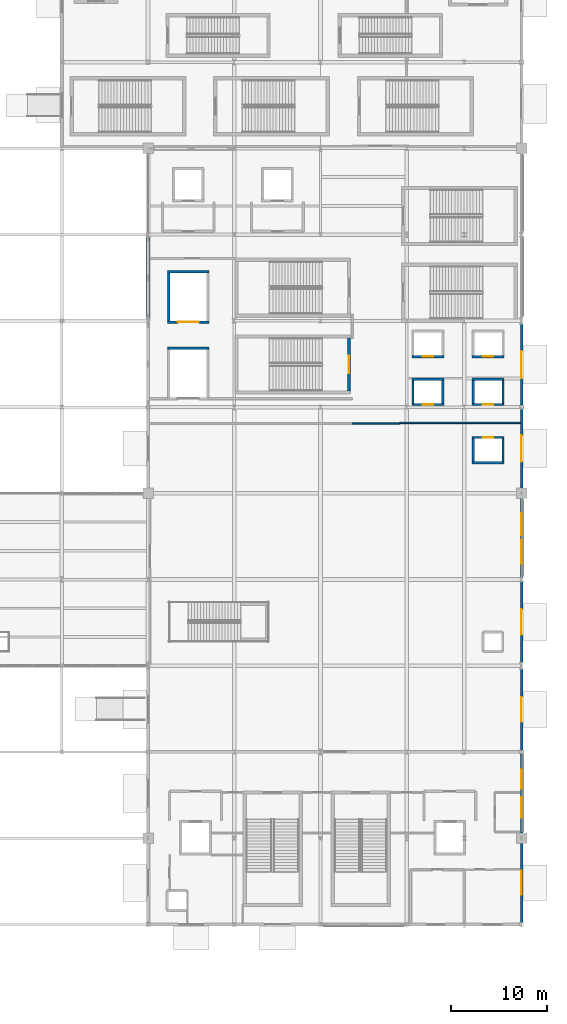
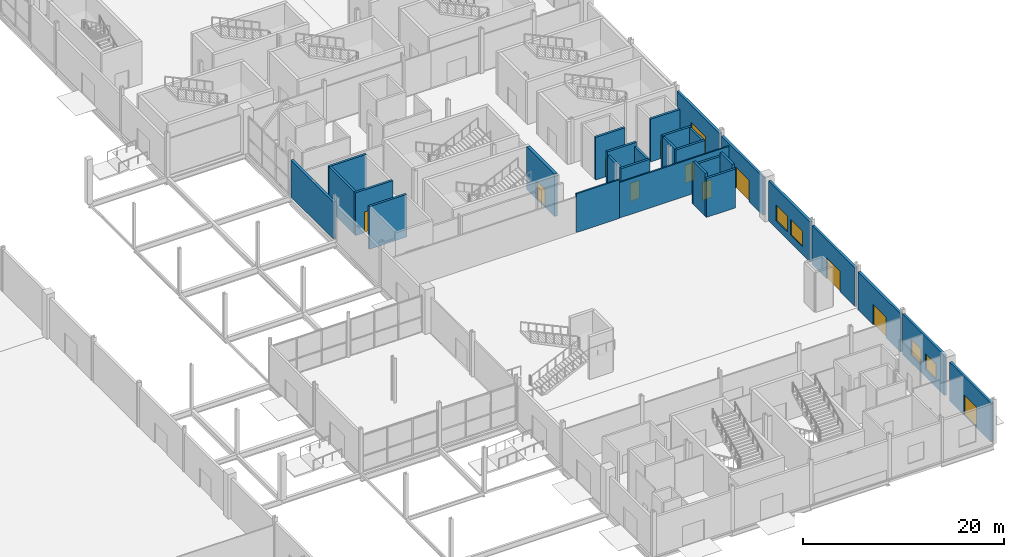
# One storey, part 60 of 94: 29 walls, 12 doors, 4 windows, 16 openings.
"""IFC4 building model written with IfcOpenShell, lengths in metres."""

from ifc_helpers import new_model, si_unit, direction, frame, frame_2d, origin, place, context, subcontext, project, spatial, rectangle, extrude, material, layer, layer_set, type_object, element, fill, save


model = new_model("IFC4")

# Units and contexts
model_context = context("Model", 3, precision=1e-05, world=origin(), true_north=direction((0.0, 1.0)))
body_context = subcontext(model_context, "Body", "Model", "MODEL_VIEW")
ifc_project = project(units=[si_unit("LENGTHUNIT", "METRE"), si_unit("AREAUNIT", "SQUARE_METRE"), si_unit("VOLUMEUNIT", "CUBIC_METRE"), si_unit("PLANEANGLEUNIT", "RADIAN"), si_unit("MASSUNIT", "GRAM", prefix="KILO")], contexts=[model_context])

# Site, building, storey
site_placement = place(None, origin())
site = spatial("IfcSite", under=ifc_project, at=site_placement, CompositionType="ELEMENT")
building_placement = place(site_placement, origin())
building = spatial("IfcBuilding", under=site, at=building_placement, Name="Qamarlyn Nura Convention Centre", CompositionType="ELEMENT")
storey_placement = place(building_placement, origin())
storey = spatial("IfcBuildingStorey", under=building, at=storey_placement, Name="L00", CompositionType="ELEMENT", Elevation=0.0)

# Wall, opening, door
ifc_material_1 = material(Name="Concrete C50/60", Category="concrete")
ifc_layer_1 = layer(ifc_material_1, 0.35009765625, Name="WT-CORE-350")
ifc_layer_set_1 = layer_set([ifc_layer_1], Name="Concrete C50/60")
wall_type_1 = type_object("IfcWallType", Name="WT-CORE-350", PredefinedType="SHEAR", material=ifc_layer_set_1)
wall_1_placement = place(storey_placement, frame((173.97509765625, 55.699951171875, 0.0), z_axis=(0.0, 0.0, 1.0), x_axis=(0.0, 1.0, 0.0)))
wall_1 = element("IfcWall", 1, at=wall_1_placement, inside=storey, type_object=wall_type_1, Name="L00 stair core shear wall ST-11-E", PredefinedType="SHEAR", context=body_context, shape_type="SweptSolid", body=[
    extrude(rectangle(XDim=5.5, YDim=0.35009765625, at=frame_2d((2.75, 0.0))), origin(), (0.0, 0.0, 1.0), 5.179931640625),
])
opening_1_placement = place(wall_1_placement, frame((1.85009765625, 0.0, 0.0)))
opening_1 = element("IfcOpeningElement", 2, at=opening_1_placement, cuts=wall_1, Name="Opening DS-044", PredefinedType="OPENING", context=body_context, shape_type="SweptSolid", body=[
    extrude(rectangle(XDim=1.800048828125, YDim=2.199951171875, at=frame_2d((0.89990234375, 1.10009765625))), frame((0.0, 0.18505859375, 0.0), z_axis=(0.0, -1.0, 0.0), x_axis=(1.0, 0.0, 0.0)), (0.0, 0.0, 1.0), 0.3701171875),
])
ifc_material_2 = material(Name="Galvanised fire-rated hollow steel door", Category="steel")
door_type_1 = type_object("IfcDoorType", Name="DR-STAIR-1800", OperationType="DOUBLE_DOOR_SINGLE_SWING", PredefinedType="DOOR", material=ifc_material_2)
door_1_placement = place(opening_1_placement, origin())
door_1 = element("IfcDoor", 3, at=door_1_placement, inside=storey, type_object=door_type_1, Name="L00 exit stair door ST-11 (DS-044)", OperationType="DOUBLE_DOOR_SINGLE_SWING", OverallHeight=2.199951171875, OverallWidth=1.800048828125, PredefinedType="DOOR", context=body_context, shape_type="SweptSolid", body=[
    extrude(rectangle(XDim=1.800048828125, YDim=2.199951171875, at=frame_2d((0.89990234375, 1.10009765625))), frame((0.0, 0.02490234375, 0.0), z_axis=(0.0, -1.0, 0.0), x_axis=(1.0, 0.0, 0.0)), (0.0, 0.0, 1.0), 0.050048828125),
])
fill(opening_1, door_1)

ifc_material_3 = material(Name="Concrete C40/50", Category="concrete")
ifc_layer_2 = layer(ifc_material_3, 0.280029296875, Name="WT-EXT-280")
ifc_layer_set_2 = layer_set([ifc_layer_2], Name="Concrete C40/50")
wall_type_2 = type_object("IfcWallType", Name="WT-EXT-280", PredefinedType="SOLIDWALL", material=ifc_layer_set_2)
wall_2_placement = place(storey_placement, frame((192.0, 8.449951171875, 0.0), z_axis=(0.0, 0.0, 1.0), x_axis=(0.0, -1.0, 0.0)))
wall_2 = element("IfcWall", 4, at=wall_2_placement, inside=storey, type_object=wall_type_2, Name="L00 exterior facade wall WEXT-L00-1920-84-1920-2", PredefinedType="SOLIDWALL", context=body_context, shape_type="SweptSolid", body=[
    extrude(rectangle(XDim=8.237548828125, YDim=0.280029296875, at=frame_2d((4.11865234375, 0.0))), origin(), (0.0, 0.0, 1.0), 4.698974609375),
])
opening_2_placement = place(wall_2_placement, frame((2.86865234375, 0.0, 0.0)))
opening_2 = element("IfcOpeningElement", 5, at=opening_2_placement, cuts=wall_2, Name="Opening E-35", PredefinedType="OPENING", context=body_context, shape_type="SweptSolid", body=[
    extrude(rectangle(XDim=2.5, YDim=2.449951171875, at=frame_2d((1.25, 1.22509765625))), frame((0.0, 0.14990234375, 0.0), z_axis=(0.0, -1.0, 0.0), x_axis=(1.0, 0.0, 0.0)), (0.0, 0.0, 1.0), 0.300048828125),
])
ifc_material_4 = material(Name="Champagne-anodised marine aluminium", Category="aluminium")
door_type_2 = type_object("IfcDoorType", Name="DR-EXIT-2500", OperationType="DOUBLE_DOOR_SINGLE_SWING", PredefinedType="DOOR", material=ifc_material_4)
door_2_placement = place(opening_2_placement, origin())
door_2 = element("IfcDoor", 6, at=door_2_placement, inside=storey, type_object=door_type_2, Name="Final exit E-35", OperationType="DOUBLE_DOOR_SINGLE_SWING", OverallHeight=2.449951171875, OverallWidth=2.5, PredefinedType="DOOR", context=body_context, shape_type="SweptSolid", body=[
    extrude(rectangle(XDim=2.5, YDim=2.449951171875, at=frame_2d((1.25, 1.22509765625))), frame((0.0, 0.02490234375, 0.0), z_axis=(0.0, -1.0, 0.0), x_axis=(1.0, 0.0, 0.0)), (0.0, 0.0, 1.0), 0.050048828125),
])
fill(opening_2, door_2)

# Wall, openings, windows
wall_3_placement = place(storey_placement, frame((192.0, 17.800048828125, 0.0), z_axis=(0.0, 0.0, 1.0), x_axis=(0.0, -1.0, 0.0)))
wall_3 = element("IfcWall", 7, at=wall_3_placement, inside=storey, type_object=wall_type_2, Name="L00 exterior facade wall WEXT-L00-1920-178-1920-96", PredefinedType="SOLIDWALL", context=body_context, shape_type="SweptSolid", body=[
    extrude(rectangle(XDim=8.25, YDim=0.280029296875, at=frame_2d((4.125, 0.0))), origin(), (0.0, 0.0, 1.0), 4.864990234375),
])
opening_3_placement = place(wall_3_placement, frame((1.66259765625, 0.0, 0.949951171875)))
opening_3 = element("IfcOpeningElement", 8, at=opening_3_placement, cuts=wall_3, Name="Opening WN05", PredefinedType="OPENING", context=body_context, shape_type="SweptSolid", body=[
    extrude(rectangle(XDim=2.0, YDim=1.85009765625, at=frame_2d((1.0, 0.925048828125))), frame((0.0, 0.14990234375, 0.0), z_axis=(0.0, -1.0, 0.0), x_axis=(1.0, 0.0, 0.0)), (0.0, 0.0, 1.0), 0.300048828125),
])
opening_4_placement = place(wall_3_placement, frame((4.512451171875, 0.0, 0.949951171875)))
opening_4 = element("IfcOpeningElement", 9, at=opening_4_placement, cuts=wall_3, Name="Opening WN06", PredefinedType="OPENING", context=body_context, shape_type="SweptSolid", body=[
    extrude(rectangle(XDim=2.14990234375, YDim=1.85009765625, at=frame_2d((1.074951171875, 0.925048828125))), frame((0.0, 0.14990234375, 0.0), z_axis=(0.0, -1.0, 0.0), x_axis=(1.0, 0.0, 0.0)), (0.0, 0.0, 1.0), 0.300048828125),
])
ifc_material_5 = material(Name="Double-silver low-E insulated glass", Category="glass")
window_type_1 = type_object("IfcWindowType", Name="WIN-SOL-05", PartitioningType="SINGLE_PANEL", PredefinedType="WINDOW", material=ifc_material_5)
window_1_placement = place(opening_3_placement, origin())
window_1 = element("IfcWindow", 10, at=window_1_placement, inside=storey, type_object=window_type_1, Name="L00 solar-control window 005", OverallHeight=1.85009765625, OverallWidth=2.0, PartitioningType="SINGLE_PANEL", PredefinedType="WINDOW", context=body_context, shape_type="SweptSolid", body=[
    extrude(rectangle(XDim=2.0, YDim=1.85009765625, at=frame_2d((1.0, 0.925048828125))), frame((0.0, 0.030029296875, 0.0), z_axis=(0.0, -1.0, 0.0), x_axis=(1.0, 0.0, 0.0)), (0.0, 0.0, 1.0), 0.06005859375),
])
fill(opening_3, window_1)
window_type_2 = type_object("IfcWindowType", Name="WIN-SOL-06", PartitioningType="SINGLE_PANEL", PredefinedType="WINDOW", material=ifc_material_5)
window_2_placement = place(opening_4_placement, origin())
window_2 = element("IfcWindow", 11, at=window_2_placement, inside=storey, type_object=window_type_2, Name="L00 solar-control window 006", OverallHeight=1.85009765625, OverallWidth=2.14990234375, PartitioningType="SINGLE_PANEL", PredefinedType="WINDOW", context=body_context, shape_type="SweptSolid", body=[
    extrude(rectangle(XDim=2.14990234375, YDim=1.85009765625, at=frame_2d((1.074951171875, 0.925048828125))), frame((0.0, 0.030029296875, 0.0), z_axis=(0.0, -1.0, 0.0), x_axis=(1.0, 0.0, 0.0)), (0.0, 0.0, 1.0), 0.06005859375),
])
fill(opening_4, window_2)

# Wall, opening, door
wall_4_placement = place(storey_placement, frame((192.0, 26.652587890625, 0.0), z_axis=(0.0, 0.0, 1.0), x_axis=(0.0, -1.0, 0.0)))
wall_4 = element("IfcWall", 12, at=wall_4_placement, inside=storey, type_object=wall_type_2, Name="L00 exterior facade wall WEXT-L00-1920-267-1920-182", PredefinedType="SOLIDWALL", context=body_context, shape_type="SweptSolid", body=[
    extrude(rectangle(XDim=8.45263671875, YDim=0.280029296875, at=frame_2d((4.226318359375, 0.0))), origin(), (0.0, 0.0, 1.0), 4.6259765625),
])
opening_5_placement = place(wall_4_placement, frame((2.936279296875, 0.0, 0.0)))
opening_5 = element("IfcOpeningElement", 13, at=opening_5_placement, cuts=wall_4, Name="Opening E-36", PredefinedType="OPENING", context=body_context, shape_type="SweptSolid", body=[
    extrude(rectangle(XDim=2.580078125, YDim=2.47998046875, at=frame_2d((1.2900390625, 1.239990234375))), frame((0.0, 0.14990234375, 0.0), z_axis=(0.0, -1.0, 0.0), x_axis=(1.0, 0.0, 0.0)), (0.0, 0.0, 1.0), 0.300048828125),
])
door_type_3 = type_object("IfcDoorType", Name="DR-EXIT-2580", OperationType="DOUBLE_DOOR_SINGLE_SWING", PredefinedType="DOOR", material=ifc_material_4)
door_3_placement = place(opening_5_placement, origin())
door_3 = element("IfcDoor", 14, at=door_3_placement, inside=storey, type_object=door_type_3, Name="Final exit E-36", OperationType="DOUBLE_DOOR_SINGLE_SWING", OverallHeight=2.47998046875, OverallWidth=2.580078125, PredefinedType="DOOR", context=body_context, shape_type="SweptSolid", body=[
    extrude(rectangle(XDim=2.580078125, YDim=2.47998046875, at=frame_2d((1.2900390625, 1.239990234375))), frame((0.0, 0.02490234375, 0.0), z_axis=(0.0, -1.0, 0.0), x_axis=(1.0, 0.0, 0.0)), (0.0, 0.0, 1.0), 0.050048828125),
])
fill(opening_5, door_3)

wall_5_placement = place(storey_placement, frame((192.0, 35.78759765625, 0.0), z_axis=(0.0, 0.0, 1.0), x_axis=(0.0, -1.0, 0.0)))
wall_5 = element("IfcWall", 15, at=wall_5_placement, inside=storey, type_object=wall_type_2, Name="L00 exterior facade wall WEXT-L00-1920-358-1920-273", PredefinedType="SOLIDWALL", context=body_context, shape_type="SweptSolid", body=[
    extrude(rectangle(XDim=8.440185546875, YDim=0.280029296875, at=frame_2d((4.22021484375, 0.0))), origin(), (0.0, 0.0, 1.0), 4.698974609375),
])
opening_6_placement = place(wall_5_placement, frame((2.89501953125, 0.0, 0.0)))
opening_6 = element("IfcOpeningElement", 16, at=opening_6_placement, cuts=wall_5, Name="Opening E-37", PredefinedType="OPENING", context=body_context, shape_type="SweptSolid", body=[
    extrude(rectangle(XDim=2.64990234375, YDim=2.52001953125, at=frame_2d((1.324951171875, 1.260009765625))), frame((0.0, 0.14990234375, 0.0), z_axis=(0.0, -1.0, 0.0), x_axis=(1.0, 0.0, 0.0)), (0.0, 0.0, 1.0), 0.300048828125),
])
door_type_4 = type_object("IfcDoorType", Name="DR-EXIT-2650", OperationType="DOUBLE_DOOR_SINGLE_SWING", PredefinedType="DOOR", material=ifc_material_4)
door_4_placement = place(opening_6_placement, origin())
door_4 = element("IfcDoor", 17, at=door_4_placement, inside=storey, type_object=door_type_4, Name="Final exit E-37", OperationType="DOUBLE_DOOR_SINGLE_SWING", OverallHeight=2.52001953125, OverallWidth=2.64990234375, PredefinedType="DOOR", context=body_context, shape_type="SweptSolid", body=[
    extrude(rectangle(XDim=2.64990234375, YDim=2.52001953125, at=frame_2d((1.324951171875, 1.260009765625))), frame((0.0, 0.02490234375, 0.0), z_axis=(0.0, -1.0, 0.0), x_axis=(1.0, 0.0, 0.0)), (0.0, 0.0, 1.0), 0.050048828125),
])
fill(opening_6, door_4)

# Wall, openings, windows
wall_6_placement = place(storey_placement, frame((192.0, 44.449951171875, 0.0), z_axis=(0.0, 0.0, 1.0), x_axis=(0.0, -1.0, 0.0)))
wall_6 = element("IfcWall", 18, at=wall_6_placement, inside=storey, type_object=wall_type_2, Name="L00 exterior facade wall WEXT-L00-1920-444-1920-362", PredefinedType="SOLIDWALL", context=body_context, shape_type="SweptSolid", body=[
    extrude(rectangle(XDim=8.237548828125, YDim=0.280029296875, at=frame_2d((4.11865234375, 0.0))), origin(), (0.0, 0.0, 1.0), 4.864990234375),
])
opening_7_placement = place(wall_6_placement, frame((1.509521484375, 0.0, 0.949951171875)))
opening_7 = element("IfcOpeningElement", 19, at=opening_7_placement, cuts=wall_6, Name="Opening WN07", PredefinedType="OPENING", context=body_context, shape_type="SweptSolid", body=[
    extrude(rectangle(XDim=2.300048828125, YDim=1.89990234375, at=frame_2d((1.14990234375, 0.949951171875))), frame((0.0, 0.14990234375, 0.0), z_axis=(0.0, -1.0, 0.0), x_axis=(1.0, 0.0, 0.0)), (0.0, 0.0, 1.0), 0.300048828125),
])
opening_8_placement = place(wall_6_placement, frame((4.35302734375, 0.0, 0.949951171875)))
opening_8 = element("IfcOpeningElement", 20, at=opening_8_placement, cuts=wall_6, Name="Opening WN08", PredefinedType="OPENING", context=body_context, shape_type="SweptSolid", body=[
    extrude(rectangle(XDim=2.449951171875, YDim=1.89990234375, at=frame_2d((1.22509765625, 0.949951171875))), frame((0.0, 0.14990234375, 0.0), z_axis=(0.0, -1.0, 0.0), x_axis=(1.0, 0.0, 0.0)), (0.0, 0.0, 1.0), 0.300048828125),
])
window_type_3 = type_object("IfcWindowType", Name="WIN-SOL-07", PartitioningType="SINGLE_PANEL", PredefinedType="WINDOW", material=ifc_material_5)
window_3_placement = place(opening_7_placement, origin())
window_3 = element("IfcWindow", 21, at=window_3_placement, inside=storey, type_object=window_type_3, Name="L00 solar-control window 007", OverallHeight=1.89990234375, OverallWidth=2.300048828125, PartitioningType="SINGLE_PANEL", PredefinedType="WINDOW", context=body_context, shape_type="SweptSolid", body=[
    extrude(rectangle(XDim=2.300048828125, YDim=1.89990234375, at=frame_2d((1.14990234375, 0.949951171875))), frame((0.0, 0.030029296875, 0.0), z_axis=(0.0, -1.0, 0.0), x_axis=(1.0, 0.0, 0.0)), (0.0, 0.0, 1.0), 0.06005859375),
])
fill(opening_7, window_3)
window_type_4 = type_object("IfcWindowType", Name="WIN-SOL-08", PartitioningType="SINGLE_PANEL", PredefinedType="WINDOW", material=ifc_material_5)
window_4_placement = place(opening_8_placement, origin())
window_4 = element("IfcWindow", 22, at=window_4_placement, inside=storey, type_object=window_type_4, Name="L00 solar-control window 008", OverallHeight=1.89990234375, OverallWidth=2.449951171875, PartitioningType="SINGLE_PANEL", PredefinedType="WINDOW", context=body_context, shape_type="SweptSolid", body=[
    extrude(rectangle(XDim=2.449951171875, YDim=1.89990234375, at=frame_2d((1.22509765625, 0.949951171875))), frame((0.0, 0.030029296875, 0.0), z_axis=(0.0, -1.0, 0.0), x_axis=(1.0, 0.0, 0.0)), (0.0, 0.0, 1.0), 0.06005859375),
])
fill(opening_8, window_4)

# Wall, opening, door
wall_7_placement = place(storey_placement, frame((192.0, 53.800048828125, 0.0), z_axis=(0.0, 0.0, 1.0), x_axis=(0.0, -1.0, 0.0)))
wall_7 = element("IfcWall", 23, at=wall_7_placement, inside=storey, type_object=wall_type_2, Name="L00 exterior facade wall WEXT-L00-1920-538-1920-456", PredefinedType="SOLIDWALL", context=body_context, shape_type="SweptSolid", body=[
    extrude(rectangle(XDim=8.25, YDim=0.280029296875, at=frame_2d((4.125, 0.0))), origin(), (0.0, 0.0, 1.0), 4.6259765625),
])
opening_9_placement = place(wall_7_placement, frame((2.75, 0.0, 0.0)))
opening_9 = element("IfcOpeningElement", 24, at=opening_9_placement, cuts=wall_7, Name="Opening E-38", PredefinedType="OPENING", context=body_context, shape_type="SweptSolid", body=[
    extrude(rectangle(XDim=2.75, YDim=2.580078125, at=frame_2d((1.375, 1.2900390625))), frame((0.0, 0.14990234375, 0.0), z_axis=(0.0, -1.0, 0.0), x_axis=(1.0, 0.0, 0.0)), (0.0, 0.0, 1.0), 0.300048828125),
])
door_type_5 = type_object("IfcDoorType", Name="DR-MAIN-2750", OperationType="DOUBLE_DOOR_SINGLE_SWING", PredefinedType="DOOR", material=ifc_material_4)
door_5_placement = place(opening_9_placement, origin())
door_5 = element("IfcDoor", 25, at=door_5_placement, inside=storey, type_object=door_type_5, Name="Final exit E-38", OperationType="DOUBLE_DOOR_SINGLE_SWING", OverallHeight=2.580078125, OverallWidth=2.75, PredefinedType="DOOR", context=body_context, shape_type="SweptSolid", body=[
    extrude(rectangle(XDim=2.75, YDim=2.580078125, at=frame_2d((1.375, 1.2900390625))), frame((0.0, 0.02490234375, 0.0), z_axis=(0.0, -1.0, 0.0), x_axis=(1.0, 0.0, 0.0)), (0.0, 0.0, 1.0), 0.050048828125),
])
fill(opening_9, door_5)

wall_8_placement = place(storey_placement, frame((192.0, 62.652587890625, 0.0), z_axis=(0.0, 0.0, 1.0), x_axis=(0.0, -1.0, 0.0)))
wall_8 = element("IfcWall", 26, at=wall_8_placement, inside=storey, type_object=wall_type_2, Name="L00 exterior facade wall WEXT-L00-1920-627-1920-542", PredefinedType="SOLIDWALL", context=body_context, shape_type="SweptSolid", body=[
    extrude(rectangle(XDim=8.45263671875, YDim=0.280029296875, at=frame_2d((4.226318359375, 0.0))), origin(), (0.0, 0.0, 1.0), 4.698974609375),
])
opening_10_placement = place(wall_8_placement, frame((2.80126953125, 0.0, 0.0)))
opening_10 = element("IfcOpeningElement", 27, at=opening_10_placement, cuts=wall_8, Name="Opening E-39", PredefinedType="OPENING", context=body_context, shape_type="SweptSolid", body=[
    extrude(rectangle(XDim=2.85009765625, YDim=2.6201171875, at=frame_2d((1.425048828125, 1.31005859375))), frame((0.0, 0.14990234375, 0.0), z_axis=(0.0, -1.0, 0.0), x_axis=(1.0, 0.0, 0.0)), (0.0, 0.0, 1.0), 0.300048828125),
])
door_type_6 = type_object("IfcDoorType", Name="DR-MAIN-2850", OperationType="DOUBLE_DOOR_SINGLE_SWING", PredefinedType="DOOR", material=ifc_material_4)
door_6_placement = place(opening_10_placement, origin())
door_6 = element("IfcDoor", 28, at=door_6_placement, inside=storey, type_object=door_type_6, Name="Final exit E-39", OperationType="DOUBLE_DOOR_SINGLE_SWING", OverallHeight=2.6201171875, OverallWidth=2.85009765625, PredefinedType="DOOR", context=body_context, shape_type="SweptSolid", body=[
    extrude(rectangle(XDim=2.85009765625, YDim=2.6201171875, at=frame_2d((1.425048828125, 1.31005859375))), frame((0.0, 0.02490234375, 0.0), z_axis=(0.0, -1.0, 0.0), x_axis=(1.0, 0.0, 0.0)), (0.0, 0.0, 1.0), 0.050048828125),
])
fill(opening_10, door_6)

# Walls
ifc_material_6 = material(Name="Concrete C40/50 with UAE coastal limestone stone facing", Category="masonry")
ifc_layer_3 = layer(ifc_material_6, 0.300048828125, Name="WT-LIME-300")
ifc_layer_set_3 = layer_set([ifc_layer_3], Name="Concrete C40/50 with UAE coastal limestone stone facing")
wall_type_3 = type_object("IfcWallType", Name="WT-LIME-300", PredefinedType="SOLIDWALL", material=ifc_layer_set_3)
wall_9_placement = place(storey_placement, frame((153.0, 63.347412109375, 0.0), z_axis=(0.0, 0.0, 1.0), x_axis=(0.0, 1.0, 0.0)))
element("IfcWall", 29, at=wall_9_placement, inside=storey, type_object=wall_type_3, Name="L00 exterior facade wall WEXT-L00-1530-633-1530-718", PredefinedType="SOLIDWALL", context=body_context, shape_type="SweptSolid", body=[
    extrude(rectangle(XDim=8.440185546875, YDim=0.300048828125, at=frame_2d((4.22021484375, 0.0))), origin(), (0.0, 0.0, 1.0), 4.469970703125),
])
ifc_material_7 = material(Name="Fire-rated acoustic gypsum board EI 60")
ifc_layer_4 = layer(ifc_material_7, 0.159912109375, Name="WT-PART-160")
ifc_layer_set_4 = layer_set([ifc_layer_4], Name="Fire-rated acoustic gypsum board EI 60")
wall_type_4 = type_object("IfcWallType", Name="WT-PART-160", PredefinedType="PARTITIONING", material=ifc_layer_set_4)
wall_10_placement = place(storey_placement, frame((174.31005859375, 52.31005859375, 0.0), z_axis=(0.0, 0.0, 1.0), x_axis=(1.0, 0.0, 0.0)))
element("IfcWall", 30, at=wall_10_placement, inside=storey, type_object=wall_type_4, Name="L00 interior partition L00-REG-CONC-48-1", PredefinedType="PARTITIONING", context=body_context, shape_type="SweptSolid", body=[
    extrude(rectangle(XDim=4.93994140625, YDim=0.159912109375, at=frame_2d((2.469970703125, 0.0))), origin(), (0.0, 0.0, 1.0), 4.7080078125),
])
wall_11_placement = place(storey_placement, frame((179.25, 52.35009765625, 0.0), z_axis=(0.0, 0.0, 1.0), x_axis=(1.0, 0.0, 0.0)))
element("IfcWall", 31, at=wall_11_placement, inside=storey, type_object=wall_type_4, Name="L00 interior partition L00-REG-CONC-65-1", PredefinedType="PARTITIONING", context=body_context, shape_type="SweptSolid", body=[
    extrude(rectangle(XDim=12.610107421875, YDim=0.159912109375, at=frame_2d((6.30517578125, 0.0))), origin(), (0.0, 0.0, 1.0), 4.31005859375),
])

# Wall, opening, door
ifc_material_8 = material(Name="Fire-rated acoustic gypsum board and mineral wool EI 120")
ifc_layer_5 = layer(ifc_material_8, 0.25, Name="WT-SHAFT-250")
ifc_layer_set_5 = layer_set([ifc_layer_5], Name="Fire-rated acoustic gypsum board and mineral wool EI 120")
wall_type_5 = type_object("IfcWallType", Name="WT-SHAFT-250", PredefinedType="SOLIDWALL", material=ifc_layer_set_5)
wall_12_placement = place(storey_placement, frame((180.52490234375, 59.27490234375, 0.0), z_axis=(0.0, 0.0, 1.0), x_axis=(1.0, 0.0, 0.0)))
wall_12 = element("IfcWall", 32, at=wall_12_placement, inside=storey, type_object=wall_type_5, Name="L00 lift shaft enclosure wall PL-01 -y", PredefinedType="SOLIDWALL", context=body_context, shape_type="SweptSolid", body=[
    extrude(rectangle(XDim=3.35009765625, YDim=0.25, at=frame_2d((1.675048828125, 0.0))), origin(), (0.0, 0.0, 1.0), 5.179931640625),
])
opening_11_placement = place(wall_12_placement, frame((1.125, 0.0, 0.0)))
opening_11 = element("IfcOpeningElement", 33, at=opening_11_placement, cuts=wall_12, Name="Opening LD-PL-01-L00", PredefinedType="OPENING", context=body_context, shape_type="SweptSolid", body=[
    extrude(rectangle(XDim=1.10009765625, YDim=2.199951171875, at=frame_2d((0.550048828125, 1.10009765625))), frame((0.0, 0.135009765625, 0.0), z_axis=(0.0, -1.0, 0.0), x_axis=(1.0, 0.0, 0.0)), (0.0, 0.0, 1.0), 0.27001953125),
])
ifc_material_9 = material(Name="Marine Grade 316 stainless steel", Category="steel")
door_type_7 = type_object("IfcDoorType", Name="DR-LD-PAX", OperationType="DOUBLE_DOOR_SLIDING", PredefinedType="DOOR", material=ifc_material_9)
door_7_placement = place(opening_11_placement, origin())
door_7 = element("IfcDoor", 34, at=door_7_placement, inside=storey, type_object=door_type_7, Name="Lift landing door LD-PL-01-L00", OperationType="DOUBLE_DOOR_SLIDING", OverallHeight=2.199951171875, OverallWidth=1.10009765625, PredefinedType="DOOR", context=body_context, shape_type="SweptSolid", body=[
    extrude(rectangle(XDim=1.10009765625, YDim=2.199951171875, at=frame_2d((0.550048828125, 1.10009765625))), frame((0.0, 0.02490234375, 0.0), z_axis=(0.0, -1.0, 0.0), x_axis=(1.0, 0.0, 0.0)), (0.0, 0.0, 1.0), 0.050048828125),
])
fill(opening_11, door_7)

wall_13_placement = place(storey_placement, frame((186.824951171875, 59.27490234375, 0.0), z_axis=(0.0, 0.0, 1.0), x_axis=(1.0, 0.0, 0.0)))
wall_13 = element("IfcWall", 35, at=wall_13_placement, inside=storey, type_object=wall_type_5, Name="L00 lift shaft enclosure wall PL-02 -y", PredefinedType="SOLIDWALL", context=body_context, shape_type="SweptSolid", body=[
    extrude(rectangle(XDim=3.35009765625, YDim=0.25, at=frame_2d((1.675048828125, 0.0))), origin(), (0.0, 0.0, 1.0), 5.179931640625),
])
opening_12_placement = place(wall_13_placement, frame((1.125, 0.0, 0.0)))
opening_12 = element("IfcOpeningElement", 36, at=opening_12_placement, cuts=wall_13, Name="Opening LD-PL-02-L00", PredefinedType="OPENING", context=body_context, shape_type="SweptSolid", body=[
    extrude(rectangle(XDim=1.10009765625, YDim=2.199951171875, at=frame_2d((0.550048828125, 1.10009765625))), frame((0.0, 0.135009765625, 0.0), z_axis=(0.0, -1.0, 0.0), x_axis=(1.0, 0.0, 0.0)), (0.0, 0.0, 1.0), 0.27001953125),
])
door_8_placement = place(opening_12_placement, origin())
door_8 = element("IfcDoor", 37, at=door_8_placement, inside=storey, type_object=door_type_7, Name="Lift landing door LD-PL-02-L00", OperationType="DOUBLE_DOOR_SLIDING", OverallHeight=2.199951171875, OverallWidth=1.10009765625, PredefinedType="DOOR", context=body_context, shape_type="SweptSolid", body=[
    extrude(rectangle(XDim=1.10009765625, YDim=2.199951171875, at=frame_2d((0.550048828125, 1.10009765625))), frame((0.0, 0.02490234375, 0.0), z_axis=(0.0, -1.0, 0.0), x_axis=(1.0, 0.0, 0.0)), (0.0, 0.0, 1.0), 0.050048828125),
])
fill(opening_12, door_8)

wall_14_placement = place(storey_placement, frame((180.52490234375, 54.27490234375, 0.0), z_axis=(0.0, 0.0, 1.0), x_axis=(1.0, 0.0, 0.0)))
wall_14 = element("IfcWall", 38, at=wall_14_placement, inside=storey, type_object=wall_type_5, Name="L00 lift shaft enclosure wall PL-03 -y", PredefinedType="SOLIDWALL", context=body_context, shape_type="SweptSolid", body=[
    extrude(rectangle(XDim=3.35009765625, YDim=0.25, at=frame_2d((1.675048828125, 0.0))), origin(), (0.0, 0.0, 1.0), 4.39208984375),
])
opening_13_placement = place(wall_14_placement, frame((1.125, 0.0, 0.0)))
opening_13 = element("IfcOpeningElement", 39, at=opening_13_placement, cuts=wall_14, Name="Opening LD-PL-03-L00", PredefinedType="OPENING", context=body_context, shape_type="SweptSolid", body=[
    extrude(rectangle(XDim=1.10009765625, YDim=2.199951171875, at=frame_2d((0.550048828125, 1.10009765625))), frame((0.0, 0.135009765625, 0.0), z_axis=(0.0, -1.0, 0.0), x_axis=(1.0, 0.0, 0.0)), (0.0, 0.0, 1.0), 0.27001953125),
])
door_9_placement = place(opening_13_placement, origin())
door_9 = element("IfcDoor", 40, at=door_9_placement, inside=storey, type_object=door_type_7, Name="Lift landing door LD-PL-03-L00", OperationType="DOUBLE_DOOR_SLIDING", OverallHeight=2.199951171875, OverallWidth=1.10009765625, PredefinedType="DOOR", context=body_context, shape_type="SweptSolid", body=[
    extrude(rectangle(XDim=1.10009765625, YDim=2.199951171875, at=frame_2d((0.550048828125, 1.10009765625))), frame((0.0, 0.02490234375, 0.0), z_axis=(0.0, -1.0, 0.0), x_axis=(1.0, 0.0, 0.0)), (0.0, 0.0, 1.0), 0.050048828125),
])
fill(opening_13, door_9)

# Walls
wall_15_placement = place(storey_placement, frame((183.875, 56.925048828125, 0.0), z_axis=(0.0, 0.0, 1.0), x_axis=(-1.0, 0.0, 0.0)))
element("IfcWall", 41, at=wall_15_placement, inside=storey, type_object=wall_type_5, Name="L00 lift shaft enclosure wall PL-03 +y", PredefinedType="SOLIDWALL", context=body_context, shape_type="SweptSolid", body=[
    extrude(rectangle(XDim=3.35009765625, YDim=0.25, at=frame_2d((1.675048828125, 0.0))), origin(), (0.0, 0.0, 1.0), 4.85693359375),
])
for number, where, z_axis, x_axis, name in (
    (42, (180.64990234375, 56.800048828125, 0.0), (0.0, 0.0, 1.0), (0.0, -1.0, 0.0), "L00 lift shaft enclosure wall PL-03 -x"),
    (43, (183.75, 54.39990234375, 0.0), (0.0, 0.0, 1.0), (0.0, 1.0, 0.0), "L00 lift shaft enclosure wall PL-03 +x"),
):
    element("IfcWall", number, at=place(storey_placement, frame(where, z_axis=z_axis, x_axis=x_axis)), inside=storey, type_object=wall_type_5, Name=name, PredefinedType="SOLIDWALL", context=body_context, shape_type="SweptSolid", body=[
        extrude(rectangle(XDim=2.400146484375, YDim=0.25, at=frame_2d((1.2001953125, 0.0))), origin(), (0.0, 0.0, 1.0), 4.39208984375),
    ])

# Wall, opening, door
wall_16_placement = place(storey_placement, frame((186.824951171875, 54.27490234375, 0.0), z_axis=(0.0, 0.0, 1.0), x_axis=(1.0, 0.0, 0.0)))
wall_16 = element("IfcWall", 44, at=wall_16_placement, inside=storey, type_object=wall_type_5, Name="L00 lift shaft enclosure wall PL-04 -y", PredefinedType="SOLIDWALL", context=body_context, shape_type="SweptSolid", body=[
    extrude(rectangle(XDim=3.35009765625, YDim=0.25, at=frame_2d((1.675048828125, 0.0))), origin(), (0.0, 0.0, 1.0), 4.469970703125),
])
opening_14_placement = place(wall_16_placement, frame((1.125, 0.0, 0.0)))
opening_14 = element("IfcOpeningElement", 45, at=opening_14_placement, cuts=wall_16, Name="Opening LD-PL-04-L00", PredefinedType="OPENING", context=body_context, shape_type="SweptSolid", body=[
    extrude(rectangle(XDim=1.10009765625, YDim=2.199951171875, at=frame_2d((0.550048828125, 1.10009765625))), frame((0.0, 0.135009765625, 0.0), z_axis=(0.0, -1.0, 0.0), x_axis=(1.0, 0.0, 0.0)), (0.0, 0.0, 1.0), 0.27001953125),
])
door_10_placement = place(opening_14_placement, origin())
door_10 = element("IfcDoor", 46, at=door_10_placement, inside=storey, type_object=door_type_7, Name="Lift landing door LD-PL-04-L00", OperationType="DOUBLE_DOOR_SLIDING", OverallHeight=2.199951171875, OverallWidth=1.10009765625, PredefinedType="DOOR", context=body_context, shape_type="SweptSolid", body=[
    extrude(rectangle(XDim=1.10009765625, YDim=2.199951171875, at=frame_2d((0.550048828125, 1.10009765625))), frame((0.0, 0.02490234375, 0.0), z_axis=(0.0, -1.0, 0.0), x_axis=(1.0, 0.0, 0.0)), (0.0, 0.0, 1.0), 0.050048828125),
])
fill(opening_14, door_10)

# Walls
wall_17_placement = place(storey_placement, frame((190.175048828125, 56.925048828125, 0.0), z_axis=(0.0, 0.0, 1.0), x_axis=(-1.0, 0.0, 0.0)))
element("IfcWall", 47, at=wall_17_placement, inside=storey, type_object=wall_type_5, Name="L00 lift shaft enclosure wall PL-04 +y", PredefinedType="SOLIDWALL", context=body_context, shape_type="SweptSolid", body=[
    extrude(rectangle(XDim=3.35009765625, YDim=0.25, at=frame_2d((1.675048828125, 0.0))), origin(), (0.0, 0.0, 1.0), 4.556884765625),
])
for number, where, z_axis, x_axis, name in (
    (48, (186.949951171875, 56.800048828125, 0.0), (0.0, 0.0, 1.0), (0.0, -1.0, 0.0), "L00 lift shaft enclosure wall PL-04 -x"),
    (49, (190.050048828125, 54.39990234375, 0.0), (0.0, 0.0, 1.0), (0.0, 1.0, 0.0), "L00 lift shaft enclosure wall PL-04 +x"),
):
    element("IfcWall", number, at=place(storey_placement, frame(where, z_axis=z_axis, x_axis=x_axis)), inside=storey, type_object=wall_type_5, Name=name, PredefinedType="SOLIDWALL", context=body_context, shape_type="SweptSolid", body=[
        extrude(rectangle(XDim=2.400146484375, YDim=0.25, at=frame_2d((1.2001953125, 0.0))), origin(), (0.0, 0.0, 1.0), 4.469970703125),
    ])
wall_18_placement = place(storey_placement, frame((186.824951171875, 48.175048828125, 0.0), z_axis=(0.0, 0.0, 1.0), x_axis=(1.0, 0.0, 0.0)))
element("IfcWall", 50, at=wall_18_placement, inside=storey, type_object=wall_type_5, Name="L00 lift shaft enclosure wall PL-05 -y", PredefinedType="SOLIDWALL", context=body_context, shape_type="SweptSolid", body=[
    extrude(rectangle(XDim=3.35009765625, YDim=0.25, at=frame_2d((1.675048828125, 0.0))), origin(), (0.0, 0.0, 1.0), 4.7080078125),
])

# Wall, opening, door
wall_19_placement = place(storey_placement, frame((190.175048828125, 50.824951171875, 0.0), z_axis=(0.0, 0.0, 1.0), x_axis=(-1.0, 0.0, 0.0)))
wall_19 = element("IfcWall", 51, at=wall_19_placement, inside=storey, type_object=wall_type_5, Name="L00 lift shaft enclosure wall PL-05 +y", PredefinedType="SOLIDWALL", context=body_context, shape_type="SweptSolid", body=[
    extrude(rectangle(XDim=3.35009765625, YDim=0.25, at=frame_2d((1.675048828125, 0.0))), origin(), (0.0, 0.0, 1.0), 4.7080078125),
])
opening_15_placement = place(wall_19_placement, frame((1.125, 0.0, 0.0)))
opening_15 = element("IfcOpeningElement", 52, at=opening_15_placement, cuts=wall_19, Name="Opening LD-PL-05-L00", PredefinedType="OPENING", context=body_context, shape_type="SweptSolid", body=[
    extrude(rectangle(XDim=1.10009765625, YDim=2.199951171875, at=frame_2d((0.550048828125, 1.10009765625))), frame((0.0, 0.135009765625, 0.0), z_axis=(0.0, -1.0, 0.0), x_axis=(1.0, 0.0, 0.0)), (0.0, 0.0, 1.0), 0.27001953125),
])
door_11_placement = place(opening_15_placement, origin())
door_11 = element("IfcDoor", 53, at=door_11_placement, inside=storey, type_object=door_type_7, Name="Lift landing door LD-PL-05-L00", OperationType="DOUBLE_DOOR_SLIDING", OverallHeight=2.199951171875, OverallWidth=1.10009765625, PredefinedType="DOOR", context=body_context, shape_type="SweptSolid", body=[
    extrude(rectangle(XDim=1.10009765625, YDim=2.199951171875, at=frame_2d((0.550048828125, 1.10009765625))), frame((0.0, 0.02490234375, 0.0), z_axis=(0.0, -1.0, 0.0), x_axis=(1.0, 0.0, 0.0)), (0.0, 0.0, 1.0), 0.050048828125),
])
fill(opening_15, door_11)

# Walls
for number, where, z_axis, x_axis, name in (
    (54, (186.949951171875, 50.699951171875, 0.0), (0.0, 0.0, 1.0), (0.0, -1.0, 0.0), "L00 lift shaft enclosure wall PL-05 -x"),
    (55, (190.050048828125, 48.300048828125, 0.0), (0.0, 0.0, 1.0), (0.0, 1.0, 0.0), "L00 lift shaft enclosure wall PL-05 +x"),
):
    element("IfcWall", number, at=place(storey_placement, frame(where, z_axis=z_axis, x_axis=x_axis)), inside=storey, type_object=wall_type_5, Name=name, PredefinedType="SOLIDWALL", context=body_context, shape_type="SweptSolid", body=[
        extrude(rectangle(XDim=2.39990234375, YDim=0.25, at=frame_2d((1.199951171875, 0.0))), origin(), (0.0, 0.0, 1.0), 5.179931640625),
    ])
wall_20_placement = place(storey_placement, frame((159.35009765625, 60.125, 0.0), z_axis=(0.0, 0.0, 1.0), x_axis=(-1.0, 0.0, 0.0)))
element("IfcWall", 56, at=wall_20_placement, inside=storey, type_object=wall_type_5, Name="L00 lift shaft enclosure wall FL-03 +y", PredefinedType="SOLIDWALL", context=body_context, shape_type="SweptSolid", body=[
    extrude(rectangle(XDim=4.300048828125, YDim=0.25, at=frame_2d((2.14990234375, 0.0))), origin(), (0.0, 0.0, 1.0), 5.179931640625),
])

# Wall, opening, door
wall_21_placement = place(storey_placement, frame((155.050048828125, 62.875, 0.0), z_axis=(0.0, 0.0, 1.0), x_axis=(1.0, 0.0, 0.0)))
wall_21 = element("IfcWall", 57, at=wall_21_placement, inside=storey, type_object=wall_type_5, Name="L00 lift shaft enclosure wall FL-04 -y", PredefinedType="SOLIDWALL", context=body_context, shape_type="SweptSolid", body=[
    extrude(rectangle(XDim=4.300048828125, YDim=0.25, at=frame_2d((2.14990234375, 0.0))), origin(), (0.0, 0.0, 1.0), 5.179931640625),
])
opening_16_placement = place(wall_21_placement, frame((1.050048828125, 0.0, 0.0)))
opening_16 = element("IfcOpeningElement", 58, at=opening_16_placement, cuts=wall_21, Name="Opening LD-FL-04-L00", PredefinedType="OPENING", context=body_context, shape_type="SweptSolid", body=[
    extrude(rectangle(XDim=2.199951171875, YDim=2.5, at=frame_2d((1.10009765625, 1.25))), frame((0.0, 0.135009765625, 0.0), z_axis=(0.0, -1.0, 0.0), x_axis=(1.0, 0.0, 0.0)), (0.0, 0.0, 1.0), 0.27001953125),
])
door_type_8 = type_object("IfcDoorType", Name="DR-LD-FRT", OperationType="DOUBLE_DOOR_SLIDING", PredefinedType="DOOR", material=ifc_material_2)
door_12_placement = place(opening_16_placement, origin())
door_12 = element("IfcDoor", 59, at=door_12_placement, inside=storey, type_object=door_type_8, Name="Lift landing door LD-FL-04-L00", OperationType="DOUBLE_DOOR_SLIDING", OverallHeight=2.5, OverallWidth=2.199951171875, PredefinedType="DOOR", context=body_context, shape_type="SweptSolid", body=[
    extrude(rectangle(XDim=2.199951171875, YDim=2.5, at=frame_2d((1.10009765625, 1.25))), frame((0.0, 0.02490234375, 0.0), z_axis=(0.0, -1.0, 0.0), x_axis=(1.0, 0.0, 0.0)), (0.0, 0.0, 1.0), 0.050048828125),
])
fill(opening_16, door_12)

# Walls
wall_22_placement = place(storey_placement, frame((159.35009765625, 68.125, 0.0), z_axis=(0.0, 0.0, 1.0), x_axis=(-1.0, 0.0, 0.0)))
element("IfcWall", 60, at=wall_22_placement, inside=storey, type_object=wall_type_5, Name="L00 lift shaft enclosure wall FL-04 +y", PredefinedType="SOLIDWALL", context=body_context, shape_type="SweptSolid", body=[
    extrude(rectangle(XDim=4.300048828125, YDim=0.25, at=frame_2d((2.14990234375, 0.0))), origin(), (0.0, 0.0, 1.0), 5.179931640625),
])
wall_23_placement = place(storey_placement, frame((155.175048828125, 68.0, 0.0), z_axis=(0.0, 0.0, 1.0), x_axis=(0.0, -1.0, 0.0)))
element("IfcWall", 61, at=wall_23_placement, inside=storey, type_object=wall_type_5, Name="L00 lift shaft enclosure wall FL-04 -x", PredefinedType="SOLIDWALL", context=body_context, shape_type="SweptSolid", body=[
    extrude(rectangle(XDim=5.0, YDim=0.25, at=frame_2d((2.5, 0.0))), origin(), (0.0, 0.0, 1.0), 5.179931640625),
])

save(model, "model.ifc")
